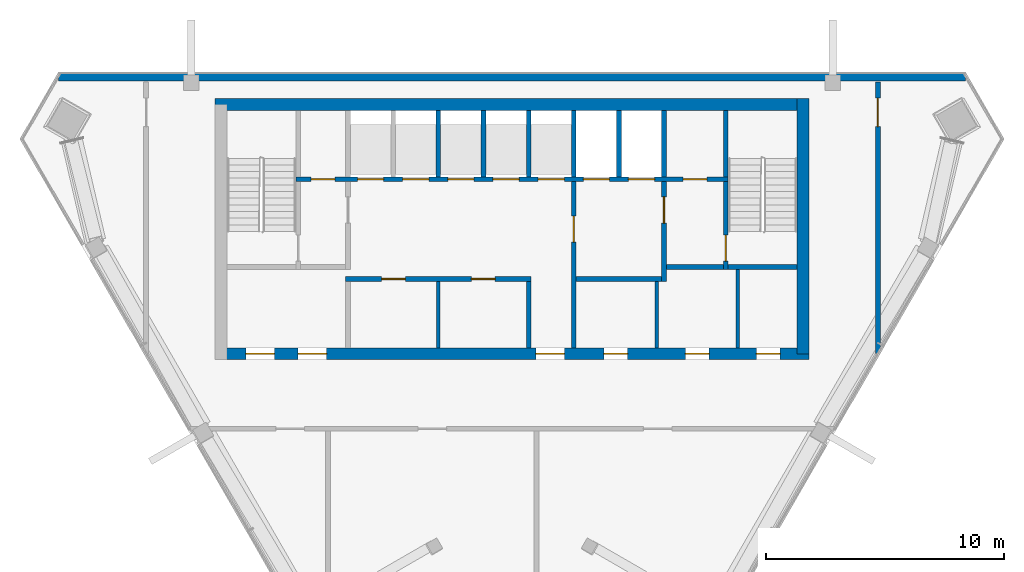
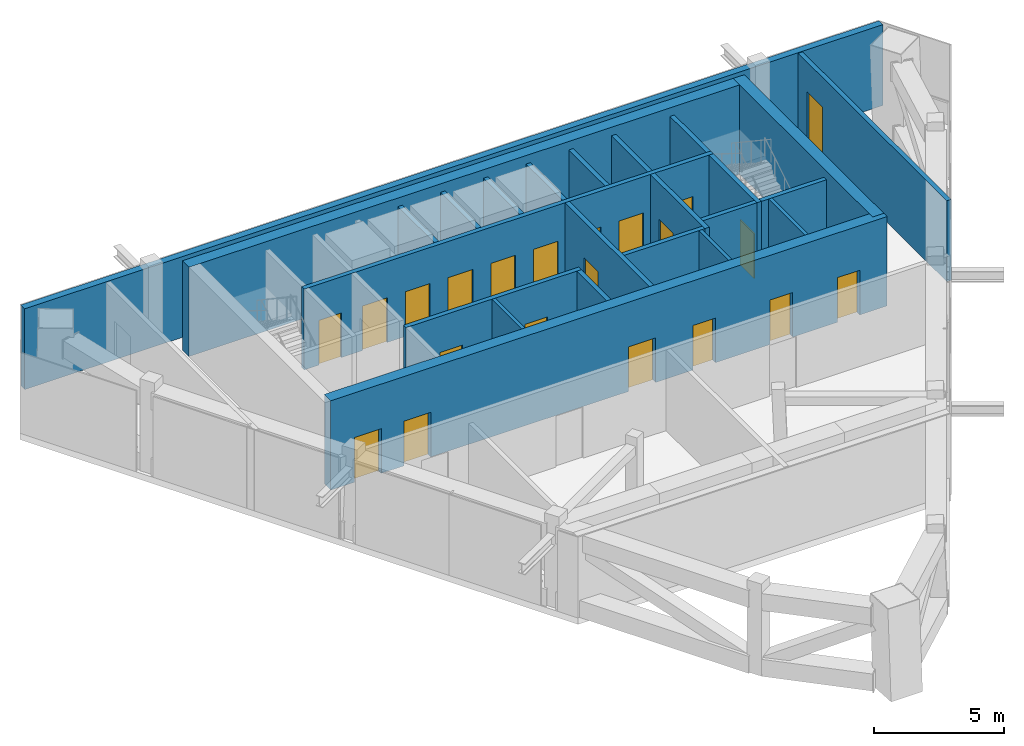
# One storey, part 6 of 9: 24 walls, 21 doors, 21 openings.
"""IFC4 building model written with IfcOpenShell, lengths in metres."""

from ifc_helpers import new_model, si_unit, direction, frame, frame_2d, origin, place, context, subcontext, project, spatial, rectangle, extrude, material, layer, layer_set, type_object, element, fill, save


model = new_model("IFC4")

# Units and contexts
model_context = context("Model", 3, precision=1e-05, world=origin(), true_north=direction((0.0, 1.0)))
body_context = subcontext(model_context, "Body", "Model", "MODEL_VIEW")
ifc_project = project(units=[si_unit("LENGTHUNIT", "METRE"), si_unit("AREAUNIT", "SQUARE_METRE"), si_unit("VOLUMEUNIT", "CUBIC_METRE"), si_unit("PLANEANGLEUNIT", "RADIAN"), si_unit("MASSUNIT", "GRAM", prefix="KILO")], contexts=[model_context])

# Site, building, storey
site_placement = place(None, origin())
site = spatial("IfcSite", under=ifc_project, at=site_placement, CompositionType="ELEMENT")
building_placement = place(site_placement, origin())
building = spatial("IfcBuilding", under=site, at=building_placement, Name="Altiplano Prism Tower", CompositionType="ELEMENT")
storey_placement = place(building_placement, frame((0.0, 0.0, 343.0)))
storey = spatial("IfcBuildingStorey", under=building, at=storey_placement, Name="L89", CompositionType="ELEMENT", Elevation=343.0)

# Wall, openings, doors
ifc_material_1 = material(Name="Concrete C60/75", Category="concrete")
ifc_layer_1 = layer(ifc_material_1, 0.5)
ifc_layer_set_1 = layer_set([ifc_layer_1], Name="Concrete C60/75")
wall_type_1 = type_object("IfcWallType", Name="Core wall 500", PredefinedType="SHEAR", material=ifc_layer_set_1)
wall_1_placement = place(storey_placement, frame((72.75, 93.14990234375, 0.0), z_axis=(0.0, 0.0, 1.0), x_axis=(1.0, 0.0, 0.0)))
wall_1 = element("IfcWall", 1, at=wall_1_placement, inside=storey, type_object=wall_type_1, Name="Core wall S L89", PredefinedType="SHEAR", context=body_context, shape_type="SweptSolid", body=[
    extrude(rectangle(XDim=24.75, YDim=0.5, at=frame_2d((12.375, 0.0))), origin(), (0.0, 0.0, 1.0), 4.199951171875),
])
opening_1_placement = place(wall_1_placement, frame((1.050048828125, 0.0, 0.0)))
opening_1 = element("IfcOpeningElement", 2, at=opening_1_placement, cuts=wall_1, Name="Opening D3851", PredefinedType="OPENING", context=body_context, shape_type="SweptSolid", body=[
    extrude(rectangle(XDim=1.199951171875, YDim=2.10009765625, at=frame_2d((0.60009765625, 1.050048828125))), frame((0.0, 0.260498046875, 0.0), z_axis=(0.0, -1.0, 0.0), x_axis=(1.0, 0.0, 0.0)), (0.0, 0.0, 1.0), 0.52099609375),
])
opening_2_placement = place(wall_1_placement, frame((3.25, 0.0, 0.0)))
opening_2 = element("IfcOpeningElement", 3, at=opening_2_placement, cuts=wall_1, Name="Opening D3852", PredefinedType="OPENING", context=body_context, shape_type="SweptSolid", body=[
    extrude(rectangle(XDim=1.199951171875, YDim=2.10009765625, at=frame_2d((0.60009765625, 1.050048828125))), frame((0.0, 0.260498046875, 0.0), z_axis=(0.0, -1.0, 0.0), x_axis=(1.0, 0.0, 0.0)), (0.0, 0.0, 1.0), 0.52099609375),
])
opening_3_placement = place(wall_1_placement, frame((13.25, 0.0, 0.0)))
opening_3 = element("IfcOpeningElement", 4, at=opening_3_placement, cuts=wall_1, Name="Opening D3853", PredefinedType="OPENING", context=body_context, shape_type="SweptSolid", body=[
    extrude(rectangle(XDim=1.199951171875, YDim=2.10009765625, at=frame_2d((0.60009765625, 1.050048828125))), frame((0.0, 0.260498046875, 0.0), z_axis=(0.0, -1.0, 0.0), x_axis=(1.0, 0.0, 0.0)), (0.0, 0.0, 1.0), 0.52099609375),
])
opening_4_placement = place(wall_1_placement, frame((16.112548828125, 0.0, 0.0)))
opening_4 = element("IfcOpeningElement", 5, at=opening_4_placement, cuts=wall_1, Name="Opening D3856", PredefinedType="OPENING", context=body_context, shape_type="SweptSolid", body=[
    extrude(rectangle(XDim=1.0, YDim=2.10009765625, at=frame_2d((0.5, 1.050048828125))), frame((0.0, 0.260498046875, 0.0), z_axis=(0.0, -1.0, 0.0), x_axis=(1.0, 0.0, 0.0)), (0.0, 0.0, 1.0), 0.52099609375),
])
opening_5_placement = place(wall_1_placement, frame((19.550048828125, 0.0, 0.0)))
opening_5 = element("IfcOpeningElement", 6, at=opening_5_placement, cuts=wall_1, Name="Opening D3857", PredefinedType="OPENING", context=body_context, shape_type="SweptSolid", body=[
    extrude(rectangle(XDim=1.0, YDim=2.10009765625, at=frame_2d((0.5, 1.050048828125))), frame((0.0, 0.260498046875, 0.0), z_axis=(0.0, -1.0, 0.0), x_axis=(1.0, 0.0, 0.0)), (0.0, 0.0, 1.0), 0.52099609375),
])
opening_6_placement = place(wall_1_placement, frame((22.53759765625, 0.0, 0.0)))
opening_6 = element("IfcOpeningElement", 7, at=opening_6_placement, cuts=wall_1, Name="Opening D3858", PredefinedType="OPENING", context=body_context, shape_type="SweptSolid", body=[
    extrude(rectangle(XDim=1.0, YDim=2.10009765625, at=frame_2d((0.5, 1.050048828125))), frame((0.0, 0.260498046875, 0.0), z_axis=(0.0, -1.0, 0.0), x_axis=(1.0, 0.0, 0.0)), (0.0, 0.0, 1.0), 0.52099609375),
])
ifc_material_2 = material(Name="Fire-rated steel door", Category="steel")
door_type_1 = type_object("IfcDoorType", Name="Core room door 1000 x 2100", OperationType="NOTDEFINED", PredefinedType="NOTDEFINED", material=ifc_material_2)
door_1_placement = place(opening_4_placement, origin())
door_1 = element("IfcDoor", 8, at=door_1_placement, inside=storey, type_object=door_type_1, Name="Core room door D3856", OperationType="SINGLE_SWING_RIGHT", OverallHeight=2.10009765625, OverallWidth=1.0, PredefinedType="NOTDEFINED", context=body_context, shape_type="SweptSolid", body=[
    extrude(rectangle(XDim=1.0, YDim=2.10009765625, at=frame_2d((0.5, 1.050048828125))), frame((0.0, 0.02490234375, 0.0), z_axis=(0.0, -1.0, 0.0), x_axis=(1.0, 0.0, 0.0)), (0.0, 0.0, 1.0), 0.050048828125),
])
fill(opening_4, door_1)
door_2_placement = place(opening_5_placement, origin())
door_2 = element("IfcDoor", 9, at=door_2_placement, inside=storey, type_object=door_type_1, Name="Core room door D3857", OperationType="SINGLE_SWING_LEFT", OverallHeight=2.10009765625, OverallWidth=1.0, PredefinedType="NOTDEFINED", context=body_context, shape_type="SweptSolid", body=[
    extrude(rectangle(XDim=1.0, YDim=2.10009765625, at=frame_2d((0.5, 1.050048828125))), frame((0.0, 0.02490234375, 0.0), z_axis=(0.0, -1.0, 0.0), x_axis=(1.0, 0.0, 0.0)), (0.0, 0.0, 1.0), 0.050048828125),
])
fill(opening_5, door_2)
door_3_placement = place(opening_6_placement, origin())
door_3 = element("IfcDoor", 10, at=door_3_placement, inside=storey, type_object=door_type_1, Name="Core room door D3858", OperationType="SINGLE_SWING_RIGHT", OverallHeight=2.10009765625, OverallWidth=1.0, PredefinedType="NOTDEFINED", context=body_context, shape_type="SweptSolid", body=[
    extrude(rectangle(XDim=1.0, YDim=2.10009765625, at=frame_2d((0.5, 1.050048828125))), frame((0.0, 0.02490234375, 0.0), z_axis=(0.0, -1.0, 0.0), x_axis=(1.0, 0.0, 0.0)), (0.0, 0.0, 1.0), 0.050048828125),
])
fill(opening_6, door_3)
door_type_2 = type_object("IfcDoorType", Name="Lobby fire door 1200 x 2100", OperationType="NOTDEFINED", PredefinedType="NOTDEFINED", material=ifc_material_2)
door_4_placement = place(opening_1_placement, origin())
door_4 = element("IfcDoor", 11, at=door_4_placement, inside=storey, type_object=door_type_2, Name="Lobby fire door D3851", OperationType="SINGLE_SWING_RIGHT", OverallHeight=2.10009765625, OverallWidth=1.199951171875, PredefinedType="NOTDEFINED", context=body_context, shape_type="SweptSolid", body=[
    extrude(rectangle(XDim=1.199951171875, YDim=2.10009765625, at=frame_2d((0.60009765625, 1.050048828125))), frame((0.0, 0.02490234375, 0.0), z_axis=(0.0, -1.0, 0.0), x_axis=(1.0, 0.0, 0.0)), (0.0, 0.0, 1.0), 0.050048828125),
])
fill(opening_1, door_4)
door_5_placement = place(opening_2_placement, origin())
door_5 = element("IfcDoor", 12, at=door_5_placement, inside=storey, type_object=door_type_2, Name="Lobby fire door D3852", OperationType="SINGLE_SWING_LEFT", OverallHeight=2.10009765625, OverallWidth=1.199951171875, PredefinedType="NOTDEFINED", context=body_context, shape_type="SweptSolid", body=[
    extrude(rectangle(XDim=1.199951171875, YDim=2.10009765625, at=frame_2d((0.60009765625, 1.050048828125))), frame((0.0, 0.02490234375, 0.0), z_axis=(0.0, -1.0, 0.0), x_axis=(1.0, 0.0, 0.0)), (0.0, 0.0, 1.0), 0.050048828125),
])
fill(opening_2, door_5)
door_6_placement = place(opening_3_placement, origin())
door_6 = element("IfcDoor", 13, at=door_6_placement, inside=storey, type_object=door_type_2, Name="Lobby fire door D3853", OperationType="SINGLE_SWING_RIGHT", OverallHeight=2.10009765625, OverallWidth=1.199951171875, PredefinedType="NOTDEFINED", context=body_context, shape_type="SweptSolid", body=[
    extrude(rectangle(XDim=1.199951171875, YDim=2.10009765625, at=frame_2d((0.60009765625, 1.050048828125))), frame((0.0, 0.02490234375, 0.0), z_axis=(0.0, -1.0, 0.0), x_axis=(1.0, 0.0, 0.0)), (0.0, 0.0, 1.0), 0.050048828125),
])
fill(opening_3, door_6)

# Walls
wall_2_placement = place(storey_placement, frame((97.25, 93.14990234375, 0.0), z_axis=(0.0, 0.0, 1.0), x_axis=(0.0, 1.0, 0.0)))
element("IfcWall", 14, at=wall_2_placement, inside=storey, type_object=wall_type_1, Name="Core wall E L89", PredefinedType="SHEAR", context=body_context, shape_type="SweptSolid", body=[
    extrude(rectangle(XDim=10.75, YDim=0.5, at=frame_2d((5.375, 0.0))), origin(), (0.0, 0.0, 1.0), 4.199951171875),
])
wall_3_placement = place(storey_placement, frame((97.25, 103.64990234375, 0.0), z_axis=(0.0, 0.0, 1.0), x_axis=(-1.0, 0.0, 0.0)))
element("IfcWall", 15, at=wall_3_placement, inside=storey, type_object=wall_type_1, Name="Core wall N L89", PredefinedType="SHEAR", context=body_context, shape_type="SweptSolid", body=[
    extrude(rectangle(XDim=24.75, YDim=0.5, at=frame_2d((12.375, 0.0))), origin(), (0.0, 0.0, 1.0), 4.199951171875),
])

# Wall, opening, door
ifc_material_3 = material(Name="Plasterboard on steel stud", Category="steel")
ifc_layer_2 = layer(ifc_material_3, 0.199951171875)
ifc_layer_set_2 = layer_set([ifc_layer_2], Name="Plasterboard on steel stud")
wall_type_2 = type_object("IfcWallType", Name="Partition 200 plant", PredefinedType="PARTITIONING", material=ifc_layer_set_2)
wall_4_placement = place(storey_placement, frame((100.40087890625, 93.157958984375, 0.0), z_axis=(0.0, 0.0, 1.0), x_axis=(-8.5347899e-05, 0.999999996358, 0.0)))
wall_4 = element("IfcWall", 16, at=wall_4_placement, inside=storey, type_object=wall_type_2, Name="Partition P04 L89 002", PredefinedType="PARTITIONING", context=body_context, shape_type="SweptSolid", body=[
    extrude(rectangle(XDim=11.442138671875, YDim=0.199951171875, at=frame_2d((5.72119140625, 0.0))), origin(), (0.0, 0.0, 1.0), 3.800048828125),
])
opening_7_placement = place(wall_4_placement, frame((9.555908203125, 0.0, 0.0)))
opening_7 = element("IfcOpeningElement", 17, at=opening_7_placement, cuts=wall_4, Name="Opening D2517", PredefinedType="OPENING", context=body_context, shape_type="SweptSolid", body=[
    extrude(rectangle(XDim=1.199951171875, YDim=2.39990234375, at=frame_2d((0.60009765625, 1.199951171875))), frame((0.0, 0.1103515625, 0.0), z_axis=(0.0, -1.0, 0.0), x_axis=(1.0, 0.0, 0.0)), (0.0, 0.0, 1.0), 0.220947265625),
])
ifc_material_4 = material(Name="Painted steel door leaf", Category="steel")
door_type_3 = type_object("IfcDoorType", Name="Plant room door 1200 x 2400", OperationType="NOTDEFINED", PredefinedType="NOTDEFINED", material=ifc_material_4)
door_7_placement = place(opening_7_placement, origin())
door_7 = element("IfcDoor", 18, at=door_7_placement, inside=storey, type_object=door_type_3, Name="Door D2517", OperationType="SINGLE_SWING_RIGHT", OverallHeight=2.39990234375, OverallWidth=1.199951171875, PredefinedType="NOTDEFINED", context=body_context, shape_type="SweptSolid", body=[
    extrude(rectangle(XDim=1.199951171875, YDim=2.39990234375, at=frame_2d((0.60009765625, 1.199951171875))), frame((0.0, 0.02490234375, 0.0), z_axis=(0.0, -1.0, 0.0), x_axis=(1.0, 0.0, 0.0)), (0.0, 0.0, 1.0), 0.050048828125),
])
fill(opening_7, door_7)

# Walls
ifc_material_5 = material(Name="Fire-rated gypsum board partition")
ifc_layer_3 = layer(ifc_material_5, 0.14990234375)
ifc_layer_set_3 = layer_set([ifc_layer_3], Name="Fire-rated gypsum board partition")
wall_type_3 = type_object("IfcWallType", Name="Room partition 150", PredefinedType="PARTITIONING", material=ifc_layer_set_3)
for number, where, z_axis, x_axis, name in (
    (19, (81.89990234375, 93.39990234375, 0.0), (0.0, 0.0, 1.0), (0.0, 1.0, 0.0), "Room partition L89"),
    (20, (91.10009765625, 93.39990234375, 0.0), (0.0, 0.0, 1.0), (0.0, 1.0, 0.0), "Room partition L89"),
):
    element("IfcWall", number, at=place(storey_placement, frame(where, z_axis=z_axis, x_axis=x_axis)), inside=storey, type_object=wall_type_3, Name=name, PredefinedType="PARTITIONING", context=body_context, shape_type="SweptSolid", body=[
        extrude(rectangle(XDim=2.800048828125, YDim=0.14990234375, at=frame_2d((1.39990234375, 0.0))), origin(), (0.0, 0.0, 1.0), 3.800048828125),
    ])
wall_5_placement = place(storey_placement, frame((94.5, 93.39990234375, 0.0), z_axis=(0.0, 0.0, 1.0), x_axis=(0.0, 1.0, 0.0)))
element("IfcWall", 21, at=wall_5_placement, inside=storey, type_object=wall_type_3, Name="Room partition L89", PredefinedType="PARTITIONING", context=body_context, shape_type="SweptSolid", body=[
    extrude(rectangle(XDim=3.300048828125, YDim=0.14990234375, at=frame_2d((1.64990234375, 0.0))), origin(), (0.0, 0.0, 1.0), 3.800048828125),
])
ifc_layer_4 = layer(ifc_material_1, 0.199951171875)
ifc_layer_set_4 = layer_set([ifc_layer_4], Name="Concrete C60/75")
wall_type_4 = type_object("IfcWallType", Name="Shaft wall 200", PredefinedType="SOLIDWALL", material=ifc_layer_set_4)
for number, where, z_axis, x_axis, name in (
    (22, (81.89990234375, 100.60009765625, 0.0), (0.0, 0.0, 1.0), (0.0, 1.0, 0.0), "Shaft wall L89"),
    (23, (83.800048828125, 100.60009765625, 0.0), (0.0, 0.0, 1.0), (0.0, 1.0, 0.0), "Shaft wall L89"),
    (24, (85.699951171875, 100.60009765625, 0.0), (0.0, 0.0, 1.0), (0.0, 1.0, 0.0), "Shaft wall L89"),
    (25, (87.60009765625, 100.60009765625, 0.0), (0.0, 0.0, 1.0), (0.0, 1.0, 0.0), "Shaft wall L89"),
    (26, (89.5, 100.60009765625, 0.0), (0.0, 0.0, 1.0), (0.0, 1.0, 0.0), "Shaft wall L89"),
    (27, (91.39990234375, 100.60009765625, 0.0), (0.0, 0.0, 1.0), (0.0, 1.0, 0.0), "Shaft wall L89"),
):
    element("IfcWall", number, at=place(storey_placement, frame(where, z_axis=z_axis, x_axis=x_axis)), inside=storey, type_object=wall_type_4, Name=name, PredefinedType="SOLIDWALL", context=body_context, shape_type="SweptSolid", body=[
        extrude(rectangle(XDim=2.7998046875, YDim=0.199951171875, at=frame_2d((1.39990234375, 0.0))), origin(), (0.0, 0.0, 1.0), 3.800048828125),
    ])

# Wall, opening, door
ifc_layer_5 = layer(ifc_material_1, 0.199951171875)
ifc_layer_set_5 = layer_set([ifc_layer_5], Name="Concrete C60/75")
wall_type_5 = type_object("IfcWallType", Name="Stair wall 200", PredefinedType="SOLIDWALL", material=ifc_layer_set_5)
wall_6_placement = place(storey_placement, frame((94.0, 96.699951171875, 0.0), z_axis=(0.0, 0.0, 1.0), x_axis=(0.0, 1.0, 0.0)))
wall_6 = element("IfcWall", 28, at=wall_6_placement, inside=storey, type_object=wall_type_5, Name="Stair wall L89", PredefinedType="SOLIDWALL", context=body_context, shape_type="SweptSolid", body=[
    extrude(rectangle(XDim=3.699951171875, YDim=0.199951171875, at=frame_2d((1.85009765625, 0.0))), origin(), (0.0, 0.0, 1.0), 3.800048828125),
])
opening_8_placement = place(wall_6_placement, frame((0.35009765625, 0.0, 0.0)))
opening_8 = element("IfcOpeningElement", 29, at=opening_8_placement, cuts=wall_6, Name="Opening D3847", PredefinedType="OPENING", context=body_context, shape_type="SweptSolid", body=[
    extrude(rectangle(XDim=1.10009765625, YDim=2.10009765625, at=frame_2d((0.550048828125, 1.050048828125))), frame((0.0, 0.1103515625, 0.0), z_axis=(0.0, -1.0, 0.0), x_axis=(1.0, 0.0, 0.0)), (0.0, 0.0, 1.0), 0.220947265625),
])
door_type_4 = type_object("IfcDoorType", Name="Stair fire door 1100 x 2100", OperationType="NOTDEFINED", PredefinedType="NOTDEFINED", material=ifc_material_2)
door_8_placement = place(opening_8_placement, origin())
door_8 = element("IfcDoor", 30, at=door_8_placement, inside=storey, type_object=door_type_4, Name="Stair fire door D3847", OperationType="SINGLE_SWING_LEFT", OverallHeight=2.10009765625, OverallWidth=1.10009765625, PredefinedType="NOTDEFINED", context=body_context, shape_type="SweptSolid", body=[
    extrude(rectangle(XDim=1.10009765625, YDim=2.10009765625, at=frame_2d((0.550048828125, 1.050048828125))), frame((0.0, 0.02490234375, 0.0), z_axis=(0.0, -1.0, 0.0), x_axis=(1.0, 0.0, 0.0)), (0.0, 0.0, 1.0), 0.050048828125),
])
fill(opening_8, door_8)

# Wall
wall_7_placement = place(storey_placement, frame((94.10009765625, 96.800048828125, 0.0), z_axis=(0.0, 0.0, 1.0), x_axis=(1.0, 0.0, 0.0)))
element("IfcWall", 31, at=wall_7_placement, inside=storey, type_object=wall_type_5, Name="Stair wall L89", PredefinedType="SOLIDWALL", context=body_context, shape_type="SweptSolid", body=[
    extrude(rectangle(XDim=2.89990234375, YDim=0.199951171875, at=frame_2d((1.449951171875, 0.0))), origin(), (0.0, 0.0, 1.0), 3.800048828125),
])

# Wall, openings, doors
wall_8_placement = place(storey_placement, frame((75.89990234375, 100.5, 0.0), z_axis=(0.0, 0.0, 1.0), x_axis=(1.0, 0.0, 0.0)))
wall_8 = element("IfcWall", 32, at=wall_8_placement, inside=storey, type_object=wall_type_5, Name="Stair wall L89", PredefinedType="SOLIDWALL", context=body_context, shape_type="SweptSolid", body=[
    extrude(rectangle(XDim=18.2001953125, YDim=0.199951171875, at=frame_2d((9.10009765625, 0.0))), origin(), (0.0, 0.0, 1.0), 3.800048828125),
])
opening_9_placement = place(wall_8_placement, frame((2.60009765625, 0.0, 0.0)))
opening_9 = element("IfcOpeningElement", 33, at=opening_9_placement, cuts=wall_8, Name="Opening LD-HL1-L89", PredefinedType="OPENING", context=body_context, shape_type="SweptSolid", body=[
    extrude(rectangle(XDim=1.10009765625, YDim=2.10009765625, at=frame_2d((0.550048828125, 1.050048828125))), frame((0.0, 0.1103515625, 0.0), z_axis=(0.0, -1.0, 0.0), x_axis=(1.0, 0.0, 0.0)), (0.0, 0.0, 1.0), 0.220947265625),
])
opening_10_placement = place(wall_8_placement, frame((4.5, 0.0, 0.0)))
opening_10 = element("IfcOpeningElement", 34, at=opening_10_placement, cuts=wall_8, Name="Opening LD-HL2-L89", PredefinedType="OPENING", context=body_context, shape_type="SweptSolid", body=[
    extrude(rectangle(XDim=1.10009765625, YDim=2.10009765625, at=frame_2d((0.550048828125, 1.050048828125))), frame((0.0, 0.1103515625, 0.0), z_axis=(0.0, -1.0, 0.0), x_axis=(1.0, 0.0, 0.0)), (0.0, 0.0, 1.0), 0.220947265625),
])
opening_11_placement = place(wall_8_placement, frame((6.39990234375, 0.0, 0.0)))
opening_11 = element("IfcOpeningElement", 35, at=opening_11_placement, cuts=wall_8, Name="Opening LD-HL3-L89", PredefinedType="OPENING", context=body_context, shape_type="SweptSolid", body=[
    extrude(rectangle(XDim=1.10009765625, YDim=2.10009765625, at=frame_2d((0.550048828125, 1.050048828125))), frame((0.0, 0.1103515625, 0.0), z_axis=(0.0, -1.0, 0.0), x_axis=(1.0, 0.0, 0.0)), (0.0, 0.0, 1.0), 0.220947265625),
])
opening_12_placement = place(wall_8_placement, frame((8.300048828125, 0.0, 0.0)))
opening_12 = element("IfcOpeningElement", 36, at=opening_12_placement, cuts=wall_8, Name="Opening LD-HL4-L89", PredefinedType="OPENING", context=body_context, shape_type="SweptSolid", body=[
    extrude(rectangle(XDim=1.10009765625, YDim=2.10009765625, at=frame_2d((0.550048828125, 1.050048828125))), frame((0.0, 0.1103515625, 0.0), z_axis=(0.0, -1.0, 0.0), x_axis=(1.0, 0.0, 0.0)), (0.0, 0.0, 1.0), 0.220947265625),
])
opening_13_placement = place(wall_8_placement, frame((10.199951171875, 0.0, 0.0)))
opening_13 = element("IfcOpeningElement", 37, at=opening_13_placement, cuts=wall_8, Name="Opening LD-HL5-L89", PredefinedType="OPENING", context=body_context, shape_type="SweptSolid", body=[
    extrude(rectangle(XDim=1.10009765625, YDim=2.10009765625, at=frame_2d((0.550048828125, 1.050048828125))), frame((0.0, 0.1103515625, 0.0), z_axis=(0.0, -1.0, 0.0), x_axis=(1.0, 0.0, 0.0)), (0.0, 0.0, 1.0), 0.220947265625),
])
opening_14_placement = place(wall_8_placement, frame((12.10009765625, 0.0, 0.0)))
opening_14 = element("IfcOpeningElement", 38, at=opening_14_placement, cuts=wall_8, Name="Opening LD-FF1-L89", PredefinedType="OPENING", context=body_context, shape_type="SweptSolid", body=[
    extrude(rectangle(XDim=1.10009765625, YDim=2.10009765625, at=frame_2d((0.550048828125, 1.050048828125))), frame((0.0, 0.1103515625, 0.0), z_axis=(0.0, -1.0, 0.0), x_axis=(1.0, 0.0, 0.0)), (0.0, 0.0, 1.0), 0.220947265625),
])
opening_15_placement = place(wall_8_placement, frame((14.0, 0.0, 0.0)))
opening_15 = element("IfcOpeningElement", 39, at=opening_15_placement, cuts=wall_8, Name="Opening LD-FF2-L89", PredefinedType="OPENING", context=body_context, shape_type="SweptSolid", body=[
    extrude(rectangle(XDim=1.10009765625, YDim=2.10009765625, at=frame_2d((0.550048828125, 1.050048828125))), frame((0.0, 0.1103515625, 0.0), z_axis=(0.0, -1.0, 0.0), x_axis=(1.0, 0.0, 0.0)), (0.0, 0.0, 1.0), 0.220947265625),
])
opening_16_placement = place(wall_8_placement, frame((0.64990234375, 0.0, 0.0)))
opening_16 = element("IfcOpeningElement", 40, at=opening_16_placement, cuts=wall_8, Name="Opening D3854", PredefinedType="OPENING", context=body_context, shape_type="SweptSolid", body=[
    extrude(rectangle(XDim=1.0, YDim=2.10009765625, at=frame_2d((0.5, 1.050048828125))), frame((0.0, 0.1103515625, 0.0), z_axis=(0.0, -1.0, 0.0), x_axis=(1.0, 0.0, 0.0)), (0.0, 0.0, 1.0), 0.220947265625),
])
opening_17_placement = place(wall_8_placement, frame((16.300048828125, 0.0, 0.0)))
opening_17 = element("IfcOpeningElement", 41, at=opening_17_placement, cuts=wall_8, Name="Opening D3855", PredefinedType="OPENING", context=body_context, shape_type="SweptSolid", body=[
    extrude(rectangle(XDim=1.0, YDim=2.10009765625, at=frame_2d((0.5, 1.050048828125))), frame((0.0, 0.1103515625, 0.0), z_axis=(0.0, -1.0, 0.0), x_axis=(1.0, 0.0, 0.0)), (0.0, 0.0, 1.0), 0.220947265625),
])
door_9_placement = place(opening_16_placement, origin())
door_9 = element("IfcDoor", 42, at=door_9_placement, inside=storey, type_object=door_type_1, Name="Core room door D3854", OperationType="SINGLE_SWING_LEFT", OverallHeight=2.10009765625, OverallWidth=1.0, PredefinedType="NOTDEFINED", context=body_context, shape_type="SweptSolid", body=[
    extrude(rectangle(XDim=1.0, YDim=2.10009765625, at=frame_2d((0.5, 1.050048828125))), frame((0.0, 0.02490234375, 0.0), z_axis=(0.0, -1.0, 0.0), x_axis=(1.0, 0.0, 0.0)), (0.0, 0.0, 1.0), 0.050048828125),
])
fill(opening_16, door_9)
door_10_placement = place(opening_17_placement, origin())
door_10 = element("IfcDoor", 43, at=door_10_placement, inside=storey, type_object=door_type_1, Name="Core room door D3855", OperationType="SINGLE_SWING_RIGHT", OverallHeight=2.10009765625, OverallWidth=1.0, PredefinedType="NOTDEFINED", context=body_context, shape_type="SweptSolid", body=[
    extrude(rectangle(XDim=1.0, YDim=2.10009765625, at=frame_2d((0.5, 1.050048828125))), frame((0.0, 0.02490234375, 0.0), z_axis=(0.0, -1.0, 0.0), x_axis=(1.0, 0.0, 0.0)), (0.0, 0.0, 1.0), 0.050048828125),
])
fill(opening_17, door_10)
ifc_material_6 = material(Name="Stainless steel landing door", Category="steel")
door_type_5 = type_object("IfcDoorType", Name="Landing door 1100 x 2100", OperationType="NOTDEFINED", PredefinedType="NOTDEFINED", material=ifc_material_6)
door_11_placement = place(opening_9_placement, origin())
door_11 = element("IfcDoor", 44, at=door_11_placement, inside=storey, type_object=door_type_5, Name="Landing doors HL1", OperationType="SLIDING_TO_RIGHT", OverallHeight=2.10009765625, OverallWidth=1.10009765625, PredefinedType="NOTDEFINED", context=body_context, shape_type="SweptSolid", body=[
    extrude(rectangle(XDim=1.10009765625, YDim=2.10009765625, at=frame_2d((0.550048828125, 1.050048828125))), frame((0.0, 0.02490234375, 0.0), z_axis=(0.0, -1.0, 0.0), x_axis=(1.0, 0.0, 0.0)), (0.0, 0.0, 1.0), 0.050048828125),
])
fill(opening_9, door_11)
door_12_placement = place(opening_10_placement, origin())
door_12 = element("IfcDoor", 45, at=door_12_placement, inside=storey, type_object=door_type_5, Name="Landing doors HL2", OperationType="SLIDING_TO_LEFT", OverallHeight=2.10009765625, OverallWidth=1.10009765625, PredefinedType="NOTDEFINED", context=body_context, shape_type="SweptSolid", body=[
    extrude(rectangle(XDim=1.10009765625, YDim=2.10009765625, at=frame_2d((0.550048828125, 1.050048828125))), frame((0.0, 0.02490234375, 0.0), z_axis=(0.0, -1.0, 0.0), x_axis=(1.0, 0.0, 0.0)), (0.0, 0.0, 1.0), 0.050048828125),
])
fill(opening_10, door_12)
door_13_placement = place(opening_11_placement, origin())
door_13 = element("IfcDoor", 46, at=door_13_placement, inside=storey, type_object=door_type_5, Name="Landing doors HL3", OperationType="SLIDING_TO_RIGHT", OverallHeight=2.10009765625, OverallWidth=1.10009765625, PredefinedType="NOTDEFINED", context=body_context, shape_type="SweptSolid", body=[
    extrude(rectangle(XDim=1.10009765625, YDim=2.10009765625, at=frame_2d((0.550048828125, 1.050048828125))), frame((0.0, 0.02490234375, 0.0), z_axis=(0.0, -1.0, 0.0), x_axis=(1.0, 0.0, 0.0)), (0.0, 0.0, 1.0), 0.050048828125),
])
fill(opening_11, door_13)
door_14_placement = place(opening_12_placement, origin())
door_14 = element("IfcDoor", 47, at=door_14_placement, inside=storey, type_object=door_type_5, Name="Landing doors HL4", OperationType="SLIDING_TO_LEFT", OverallHeight=2.10009765625, OverallWidth=1.10009765625, PredefinedType="NOTDEFINED", context=body_context, shape_type="SweptSolid", body=[
    extrude(rectangle(XDim=1.10009765625, YDim=2.10009765625, at=frame_2d((0.550048828125, 1.050048828125))), frame((0.0, 0.02490234375, 0.0), z_axis=(0.0, -1.0, 0.0), x_axis=(1.0, 0.0, 0.0)), (0.0, 0.0, 1.0), 0.050048828125),
])
fill(opening_12, door_14)
door_15_placement = place(opening_13_placement, origin())
door_15 = element("IfcDoor", 48, at=door_15_placement, inside=storey, type_object=door_type_5, Name="Landing doors HL5", OperationType="SLIDING_TO_RIGHT", OverallHeight=2.10009765625, OverallWidth=1.10009765625, PredefinedType="NOTDEFINED", context=body_context, shape_type="SweptSolid", body=[
    extrude(rectangle(XDim=1.10009765625, YDim=2.10009765625, at=frame_2d((0.550048828125, 1.050048828125))), frame((0.0, 0.02490234375, 0.0), z_axis=(0.0, -1.0, 0.0), x_axis=(1.0, 0.0, 0.0)), (0.0, 0.0, 1.0), 0.050048828125),
])
fill(opening_13, door_15)
door_16_placement = place(opening_14_placement, origin())
door_16 = element("IfcDoor", 49, at=door_16_placement, inside=storey, type_object=door_type_5, Name="Landing doors FF1", OperationType="SLIDING_TO_RIGHT", OverallHeight=2.10009765625, OverallWidth=1.10009765625, PredefinedType="NOTDEFINED", context=body_context, shape_type="SweptSolid", body=[
    extrude(rectangle(XDim=1.10009765625, YDim=2.10009765625, at=frame_2d((0.550048828125, 1.050048828125))), frame((0.0, 0.02490234375, 0.0), z_axis=(0.0, -1.0, 0.0), x_axis=(1.0, 0.0, 0.0)), (0.0, 0.0, 1.0), 0.050048828125),
])
fill(opening_14, door_16)
door_17_placement = place(opening_15_placement, origin())
door_17 = element("IfcDoor", 50, at=door_17_placement, inside=storey, type_object=door_type_5, Name="Landing doors FF2", OperationType="SLIDING_TO_LEFT", OverallHeight=2.10009765625, OverallWidth=1.10009765625, PredefinedType="NOTDEFINED", context=body_context, shape_type="SweptSolid", body=[
    extrude(rectangle(XDim=1.10009765625, YDim=2.10009765625, at=frame_2d((0.550048828125, 1.050048828125))), frame((0.0, 0.02490234375, 0.0), z_axis=(0.0, -1.0, 0.0), x_axis=(1.0, 0.0, 0.0)), (0.0, 0.0, 1.0), 0.050048828125),
])
fill(opening_15, door_17)

# Walls
wall_9_placement = place(storey_placement, frame((94.0, 100.60009765625, 0.0), z_axis=(0.0, 0.0, 1.0), x_axis=(0.0, 1.0, 0.0)))
element("IfcWall", 51, at=wall_9_placement, inside=storey, type_object=wall_type_5, Name="Stair wall L89", PredefinedType="SOLIDWALL", context=body_context, shape_type="SweptSolid", body=[
    extrude(rectangle(XDim=2.7998046875, YDim=0.199951171875, at=frame_2d((1.39990234375, 0.0))), origin(), (0.0, 0.0, 1.0), 3.800048828125),
])
ifc_material_7 = material(Name="Concrete C40", Category="concrete")
ifc_layer_6 = layer(ifc_material_7, 0.300048828125)
ifc_layer_set_6 = layer_set([ifc_layer_6], Name="Concrete C40")
wall_type_6 = type_object("IfcWallType", Name="Stone-clad external wall 300", PredefinedType="SOLIDWALL", material=ifc_layer_set_6)
wall_10_placement = place(storey_placement, frame((65.913330078125, 104.7900390625, 0.0), z_axis=(0.0, 0.0, 1.0), x_axis=(1.0, 0.0, 0.0)))
element("IfcWall", 52, at=wall_10_placement, inside=storey, type_object=wall_type_6, Name="External wall north face L89", PredefinedType="SOLIDWALL", context=body_context, shape_type="SweptSolid", body=[
    extrude(rectangle(XDim=38.17333984375, YDim=0.300048828125, at=frame_2d((19.086669921875, 0.0))), origin(), (0.0, 0.0, 1.0), 3.800048828125),
])
ifc_layer_7 = layer(ifc_material_1, 0.199951171875)
ifc_layer_set_7 = layer_set([ifc_layer_7], Name="Concrete C60/75")
wall_type_7 = type_object("IfcWallType", Name="Vestibule wall 200", PredefinedType="PARTITIONING", material=ifc_layer_set_7)
wall_11_placement = place(storey_placement, frame((85.699951171875, 93.39990234375, 0.0), z_axis=(0.0, 0.0, 1.0), x_axis=(0.0, 1.0, 0.0)))
element("IfcWall", 53, at=wall_11_placement, inside=storey, type_object=wall_type_7, Name="Vestibule wall L89", PredefinedType="PARTITIONING", context=body_context, shape_type="SweptSolid", body=[
    extrude(rectangle(XDim=2.800048828125, YDim=0.199951171875, at=frame_2d((1.39990234375, 0.0))), origin(), (0.0, 0.0, 1.0), 3.800048828125),
])

# Wall, opening, door
wall_12_placement = place(storey_placement, frame((87.60009765625, 93.39990234375, 0.0), z_axis=(0.0, 0.0, 1.0), x_axis=(0.0, 1.0, 0.0)))
wall_12 = element("IfcWall", 54, at=wall_12_placement, inside=storey, type_object=wall_type_7, Name="Vestibule wall L89", PredefinedType="PARTITIONING", context=body_context, shape_type="SweptSolid", body=[
    extrude(rectangle(XDim=7.0, YDim=0.199951171875, at=frame_2d((3.5, 0.0))), origin(), (0.0, 0.0, 1.0), 3.800048828125),
])
opening_18_placement = place(wall_12_placement, frame((4.449951171875, 0.0, 0.0)))
opening_18 = element("IfcOpeningElement", 55, at=opening_18_placement, cuts=wall_12, Name="Opening D3849", PredefinedType="OPENING", context=body_context, shape_type="SweptSolid", body=[
    extrude(rectangle(XDim=1.10009765625, YDim=2.10009765625, at=frame_2d((0.550048828125, 1.050048828125))), frame((0.0, 0.1103515625, 0.0), z_axis=(0.0, -1.0, 0.0), x_axis=(1.0, 0.0, 0.0)), (0.0, 0.0, 1.0), 0.220947265625),
])
door_type_6 = type_object("IfcDoorType", Name="Vestibule fire door 1100 x 2100", OperationType="NOTDEFINED", PredefinedType="NOTDEFINED", material=ifc_material_2)
door_18_placement = place(opening_18_placement, origin())
door_18 = element("IfcDoor", 56, at=door_18_placement, inside=storey, type_object=door_type_6, Name="Vestibule fire door D3849", OperationType="SINGLE_SWING_RIGHT", OverallHeight=2.10009765625, OverallWidth=1.10009765625, PredefinedType="NOTDEFINED", context=body_context, shape_type="SweptSolid", body=[
    extrude(rectangle(XDim=1.10009765625, YDim=2.10009765625, at=frame_2d((0.550048828125, 1.050048828125))), frame((0.0, 0.02490234375, 0.0), z_axis=(0.0, -1.0, 0.0), x_axis=(1.0, 0.0, 0.0)), (0.0, 0.0, 1.0), 0.050048828125),
])
fill(opening_18, door_18)

# Wall, openings, doors
wall_13_placement = place(storey_placement, frame((78.0, 96.300048828125, 0.0), z_axis=(0.0, 0.0, 1.0), x_axis=(1.0, 0.0, 0.0)))
wall_13 = element("IfcWall", 57, at=wall_13_placement, inside=storey, type_object=wall_type_7, Name="Vestibule wall L89", PredefinedType="PARTITIONING", context=body_context, shape_type="SweptSolid", body=[
    extrude(rectangle(XDim=7.800048828125, YDim=0.199951171875, at=frame_2d((3.89990234375, 0.0))), origin(), (0.0, 0.0, 1.0), 3.800048828125),
])
opening_19_placement = place(wall_13_placement, frame((1.512451171875, 0.0, 0.0)))
opening_19 = element("IfcOpeningElement", 58, at=opening_19_placement, cuts=wall_13, Name="Opening D3859", PredefinedType="OPENING", context=body_context, shape_type="SweptSolid", body=[
    extrude(rectangle(XDim=1.0, YDim=2.10009765625, at=frame_2d((0.5, 1.050048828125))), frame((0.0, 0.1103515625, 0.0), z_axis=(0.0, -1.0, 0.0), x_axis=(1.0, 0.0, 0.0)), (0.0, 0.0, 1.0), 0.220947265625),
])
opening_20_placement = place(wall_13_placement, frame((5.28759765625, 0.0, 0.0)))
opening_20 = element("IfcOpeningElement", 59, at=opening_20_placement, cuts=wall_13, Name="Opening D3860", PredefinedType="OPENING", context=body_context, shape_type="SweptSolid", body=[
    extrude(rectangle(XDim=1.0, YDim=2.10009765625, at=frame_2d((0.5, 1.050048828125))), frame((0.0, 0.1103515625, 0.0), z_axis=(0.0, -1.0, 0.0), x_axis=(1.0, 0.0, 0.0)), (0.0, 0.0, 1.0), 0.220947265625),
])
door_19_placement = place(opening_19_placement, origin())
door_19 = element("IfcDoor", 60, at=door_19_placement, inside=storey, type_object=door_type_1, Name="Core room door D3859", OperationType="SINGLE_SWING_RIGHT", OverallHeight=2.10009765625, OverallWidth=1.0, PredefinedType="NOTDEFINED", context=body_context, shape_type="SweptSolid", body=[
    extrude(rectangle(XDim=1.0, YDim=2.10009765625, at=frame_2d((0.5, 1.050048828125))), frame((0.0, 0.02490234375, 0.0), z_axis=(0.0, -1.0, 0.0), x_axis=(1.0, 0.0, 0.0)), (0.0, 0.0, 1.0), 0.050048828125),
])
fill(opening_19, door_19)
door_20_placement = place(opening_20_placement, origin())
door_20 = element("IfcDoor", 61, at=door_20_placement, inside=storey, type_object=door_type_1, Name="Core room door D3860", OperationType="SINGLE_SWING_RIGHT", OverallHeight=2.10009765625, OverallWidth=1.0, PredefinedType="NOTDEFINED", context=body_context, shape_type="SweptSolid", body=[
    extrude(rectangle(XDim=1.0, YDim=2.10009765625, at=frame_2d((0.5, 1.050048828125))), frame((0.0, 0.02490234375, 0.0), z_axis=(0.0, -1.0, 0.0), x_axis=(1.0, 0.0, 0.0)), (0.0, 0.0, 1.0), 0.050048828125),
])
fill(opening_20, door_20)

# Wall
wall_14_placement = place(storey_placement, frame((87.699951171875, 96.300048828125, 0.0), z_axis=(0.0, 0.0, 1.0), x_axis=(1.0, 0.0, 0.0)))
element("IfcWall", 62, at=wall_14_placement, inside=storey, type_object=wall_type_7, Name="Vestibule wall L89", PredefinedType="PARTITIONING", context=body_context, shape_type="SweptSolid", body=[
    extrude(rectangle(XDim=3.60009765625, YDim=0.199951171875, at=frame_2d((1.800048828125, 0.0))), origin(), (0.0, 0.0, 1.0), 3.800048828125),
])

# Wall, opening, door
wall_15_placement = place(storey_placement, frame((91.39990234375, 96.199951171875, 0.0), z_axis=(0.0, 0.0, 1.0), x_axis=(0.0, 1.0, 0.0)))
wall_15 = element("IfcWall", 63, at=wall_15_placement, inside=storey, type_object=wall_type_7, Name="Vestibule wall L89", PredefinedType="PARTITIONING", context=body_context, shape_type="SweptSolid", body=[
    extrude(rectangle(XDim=4.199951171875, YDim=0.199951171875, at=frame_2d((2.10009765625, 0.0))), origin(), (0.0, 0.0, 1.0), 3.800048828125),
])
opening_21_placement = place(wall_15_placement, frame((2.449951171875, 0.0, 0.0)))
opening_21 = element("IfcOpeningElement", 64, at=opening_21_placement, cuts=wall_15, Name="Opening D3850", PredefinedType="OPENING", context=body_context, shape_type="SweptSolid", body=[
    extrude(rectangle(XDim=1.10009765625, YDim=2.10009765625, at=frame_2d((0.550048828125, 1.050048828125))), frame((0.0, 0.1103515625, 0.0), z_axis=(0.0, -1.0, 0.0), x_axis=(1.0, 0.0, 0.0)), (0.0, 0.0, 1.0), 0.220947265625),
])
door_21_placement = place(opening_21_placement, origin())
door_21 = element("IfcDoor", 65, at=door_21_placement, inside=storey, type_object=door_type_6, Name="Vestibule fire door D3850", OperationType="SINGLE_SWING_LEFT", OverallHeight=2.10009765625, OverallWidth=1.10009765625, PredefinedType="NOTDEFINED", context=body_context, shape_type="SweptSolid", body=[
    extrude(rectangle(XDim=1.10009765625, YDim=2.10009765625, at=frame_2d((0.550048828125, 1.050048828125))), frame((0.0, 0.02490234375, 0.0), z_axis=(0.0, -1.0, 0.0), x_axis=(1.0, 0.0, 0.0)), (0.0, 0.0, 1.0), 0.050048828125),
])
fill(opening_21, door_21)

# Wall
wall_16_placement = place(storey_placement, frame((91.5, 96.800048828125, 0.0), z_axis=(0.0, 0.0, 1.0), x_axis=(1.0, 0.0, 0.0)))
element("IfcWall", 66, at=wall_16_placement, inside=storey, type_object=wall_type_7, Name="Vestibule wall L89", PredefinedType="PARTITIONING", context=body_context, shape_type="SweptSolid", body=[
    extrude(rectangle(XDim=2.39990234375, YDim=0.199951171875, at=frame_2d((1.199951171875, 0.0))), origin(), (0.0, 0.0, 1.0), 3.800048828125),
])

save(model, "model.ifc")
